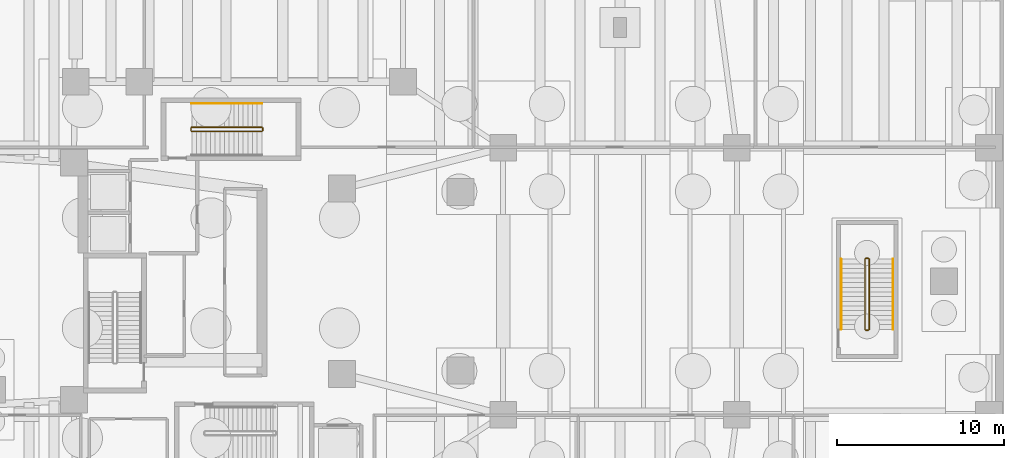
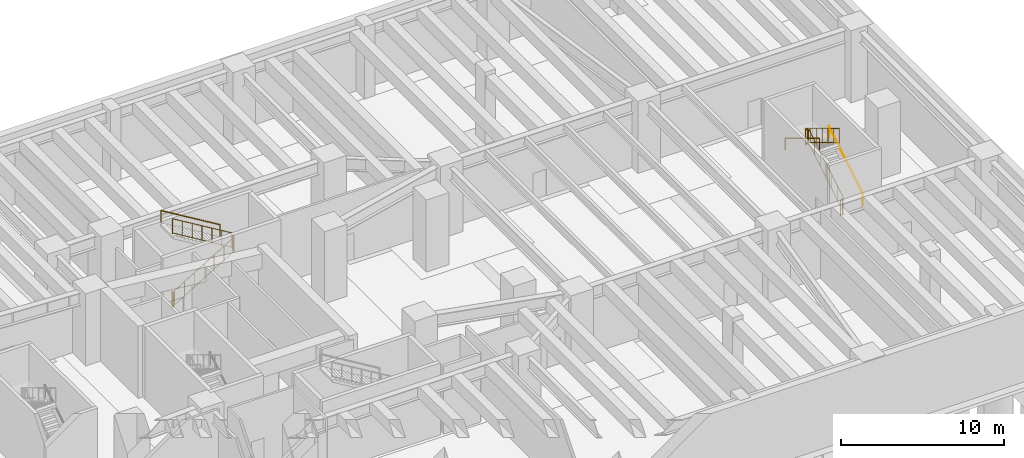
# One storey, part 9 of 10: 11 railings.
"""IFC4 building model written with IfcOpenShell, lengths in metres."""

from ifc_helpers import new_model, si_unit, direction, frame, origin, origin_2d, place, context, subcontext, project, spatial, circle, extrude, material, type_object, element, save


model = new_model("IFC4")

# Units and contexts
model_context = context("Model", 3, precision=1e-05, world=origin(), true_north=direction((0.0, 1.0)))
body_context = subcontext(model_context, "Body", "Model", "MODEL_VIEW")
ifc_project = project(units=[si_unit("LENGTHUNIT", "METRE"), si_unit("AREAUNIT", "SQUARE_METRE"), si_unit("VOLUMEUNIT", "CUBIC_METRE"), si_unit("PLANEANGLEUNIT", "RADIAN"), si_unit("MASSUNIT", "GRAM", prefix="KILO"), si_unit("THERMODYNAMICTEMPERATUREUNIT", "KELVIN"), si_unit("POWERUNIT", "WATT")], contexts=[model_context])

# Site, building, storey
site_placement = place(None, origin())
site = spatial("IfcSite", under=ifc_project, at=site_placement, CompositionType="ELEMENT")
building_placement = place(site_placement, origin())
building = spatial("IfcBuilding", under=site, at=building_placement, Name="Skarre Station Tower", CompositionType="ELEMENT")
storey_placement = place(building_placement, frame((0.0, 0.0, -10.199951171875)))
storey = spatial("IfcBuildingStorey", under=building, at=storey_placement, Name="B02", CompositionType="ELEMENT", Elevation=-10.199951171875)

# Railings
ifc_material = material(Name="Powder-Coated Tubular Steel", Category="steel")
railing_type_1 = type_object("IfcRailingType", Name="Painted Steel Ramp & Stair Handrail 920", PredefinedType="HANDRAIL", material=ifc_material)
railing_1_placement = place(storey_placement, frame((27.550048828125, 34.64990234375, 2.86865234375)))
element("IfcRailing", 1, at=railing_1_placement, inside=storey, type_object=railing_type_1, Name="B02 ST-3 stair handrail 2", PredefinedType="HANDRAIL", context=body_context, shape_type="SweptSolid", body=[
    extrude(circle(Radius=0.02392578125, at=origin_2d()), frame((0.0, 0.0, 0.8759765625), z_axis=(-0.856476492594, 0.0, 0.516186030065), x_axis=(0.0, -1.0, 0.0)), (0.0, 0.0, 1.0), 4.90380859375),
    extrude(circle(Radius=0.02099609375, at=origin_2d()), origin(), (0.0, 0.0, 1.0), 0.851806640625),
    extrude(circle(Radius=0.02099609375, at=origin_2d()), frame((-4.199951171875, 0.0, 2.53125)), (0.0, 0.0, 1.0), 0.851806640625),
])
railing_2_placement = place(storey_placement, frame((65.35009765625, 21.1201171875, 0.168701171875)))
element("IfcRailing", 2, at=railing_2_placement, inside=storey, type_object=railing_type_1, Name="B02 ST-5 stair handrail 1", PredefinedType="HANDRAIL", context=body_context, shape_type="SweptSolid", body=[
    extrude(circle(Radius=0.02392578125, at=origin_2d()), frame((0.0, 0.0, 0.8759765625), z_axis=(0.0, 0.856476492594, 0.516186030065), x_axis=(-1.0, 0.0, 0.0)), (0.0, 0.0, 1.0), 4.90380859375),
    extrude(circle(Radius=0.02099609375, at=origin_2d()), origin(), (0.0, 0.0, 1.0), 0.851806640625),
    extrude(circle(Radius=0.02099609375, at=origin_2d()), frame((0.0, 4.199951171875, 2.53125)), (0.0, 0.0, 1.0), 0.851806640625),
])
railing_3_placement = place(storey_placement, frame((62.25, 25.320068359375, 2.86865234375)))
element("IfcRailing", 3, at=railing_3_placement, inside=storey, type_object=railing_type_1, Name="B02 ST-5 stair handrail 2", PredefinedType="HANDRAIL", context=body_context, shape_type="SweptSolid", body=[
    extrude(circle(Radius=0.02392578125, at=origin_2d()), frame((0.0, 0.0, 0.8759765625), z_axis=(0.0, -0.856476492594, 0.516186030065), x_axis=(1.0, 0.0, 0.0)), (0.0, 0.0, 1.0), 4.90380859375),
    extrude(circle(Radius=0.02099609375, at=origin_2d()), origin(), (0.0, 0.0, 1.0), 0.851806640625),
    extrude(circle(Radius=0.02099609375, at=origin_2d()), frame((0.0, -4.199951171875, 2.53125)), (0.0, 0.0, 1.0), 0.851806640625),
])
railing_type_2 = type_object("IfcRailingType", Name="Painted Steel Stairwell Guardrail 1100", PredefinedType="GUARDRAIL", material=ifc_material)
railing_4_placement = place(storey_placement, frame((23.35009765625, 32.969970703125, 0.168701171875)))
element("IfcRailing", 4, at=railing_4_placement, inside=storey, type_object=railing_type_2, Name="B02 ST-3 stair guard 1", PredefinedType="GUARDRAIL", context=body_context, shape_type="SweptSolid", body=[
    extrude(circle(Radius=0.02392578125, at=origin_2d()), frame((0.0, 0.0, 1.1259765625), z_axis=(0.856476492594, 0.0, 0.516186030065), x_axis=(0.0, 1.0, 0.0)), (0.0, 0.0, 1.0), 4.90380859375),
    extrude(circle(Radius=0.02099609375, at=origin_2d()), frame((0.0, 0.0, 0.06005859375), z_axis=(0.856476492594, 0.0, 0.516186030065), x_axis=(0.0, 1.0, 0.0)), (0.0, 0.0, 1.0), 4.90380859375),
    extrude(circle(Radius=0.02099609375, at=origin_2d()), origin(), (0.0, 0.0, 1.0), 1.101806640625),
    extrude(circle(Radius=0.02099609375, at=origin_2d()), frame((0.699951171875, 0.0, 0.421875)), (0.0, 0.0, 1.0), 1.101806640625),
    extrude(circle(Radius=0.02099609375, at=origin_2d()), frame((1.39990234375, 0.0, 0.84375)), (0.0, 0.0, 1.0), 1.101806640625),
    extrude(circle(Radius=0.02099609375, at=origin_2d()), frame((2.10009765625, 0.0, 1.265625)), (0.0, 0.0, 1.0), 1.101806640625),
    extrude(circle(Radius=0.02099609375, at=origin_2d()), frame((2.800048828125, 0.0, 1.6875)), (0.0, 0.0, 1.0), 1.101806640625),
    extrude(circle(Radius=0.02099609375, at=origin_2d()), frame((3.5, 0.0, 2.109375)), (0.0, 0.0, 1.0), 1.101806640625),
    extrude(circle(Radius=0.02099609375, at=origin_2d()), frame((4.199951171875, 0.0, 2.53125)), (0.0, 0.0, 1.0), 1.101806640625),
])
railing_5_placement = place(storey_placement, frame((27.60009765625, 33.02001953125, 2.699951171875)))
element("IfcRailing", 5, at=railing_5_placement, inside=storey, type_object=railing_type_2, Name="B02 ST-3 stair guard 2", PredefinedType="GUARDRAIL", context=body_context, shape_type="SweptSolid", body=[
    extrude(circle(Radius=0.02392578125, at=origin_2d()), frame((0.0, 0.0, 1.1259765625), z_axis=(0.0, 1.0, 0.0), x_axis=(-1.0, 0.0, 0.0)), (0.0, 0.0, 1.0), 0.159912109375),
    extrude(circle(Radius=0.02099609375, at=origin_2d()), frame((0.0, 0.0, 0.06005859375), z_axis=(0.0, 1.0, 0.0), x_axis=(-1.0, 0.0, 0.0)), (0.0, 0.0, 1.0), 0.159912109375),
    extrude(circle(Radius=0.02099609375, at=origin_2d()), origin(), (0.0, 0.0, 1.0), 1.101806640625),
    extrude(circle(Radius=0.02099609375, at=origin_2d()), frame((0.0, 0.159912109375, 0.0)), (0.0, 0.0, 1.0), 1.101806640625),
])
railing_6_placement = place(storey_placement, frame((27.550048828125, 33.22998046875, 2.86865234375)))
element("IfcRailing", 6, at=railing_6_placement, inside=storey, type_object=railing_type_2, Name="B02 ST-3 stair guard 3", PredefinedType="GUARDRAIL", context=body_context, shape_type="SweptSolid", body=[
    extrude(circle(Radius=0.02392578125, at=origin_2d()), frame((0.0, 0.0, 1.1259765625), z_axis=(-0.856476492594, 0.0, 0.516186030065), x_axis=(0.0, -1.0, 0.0)), (0.0, 0.0, 1.0), 4.90380859375),
    extrude(circle(Radius=0.02099609375, at=origin_2d()), frame((0.0, 0.0, 0.06005859375), z_axis=(-0.856476492594, 0.0, 0.516186030065), x_axis=(0.0, -1.0, 0.0)), (0.0, 0.0, 1.0), 4.90380859375),
    extrude(circle(Radius=0.02099609375, at=origin_2d()), origin(), (0.0, 0.0, 1.0), 1.101806640625),
    extrude(circle(Radius=0.02099609375, at=origin_2d()), frame((-0.699951171875, 0.0, 0.421875)), (0.0, 0.0, 1.0), 1.101806640625),
    extrude(circle(Radius=0.02099609375, at=origin_2d()), frame((-1.39990234375, 0.0, 0.84375)), (0.0, 0.0, 1.0), 1.101806640625),
    extrude(circle(Radius=0.02099609375, at=origin_2d()), frame((-2.10009765625, 0.0, 1.265625)), (0.0, 0.0, 1.0), 1.101806640625),
    extrude(circle(Radius=0.02099609375, at=origin_2d()), frame((-2.800048828125, 0.0, 1.6875)), (0.0, 0.0, 1.0), 1.101806640625),
    extrude(circle(Radius=0.02099609375, at=origin_2d()), frame((-3.5, 0.0, 2.109375)), (0.0, 0.0, 1.0), 1.101806640625),
    extrude(circle(Radius=0.02099609375, at=origin_2d()), frame((-4.199951171875, 0.0, 2.53125)), (0.0, 0.0, 1.0), 1.101806640625),
])
railing_7_placement = place(storey_placement, frame((23.300048828125, 33.02001953125, 0.0)))
element("IfcRailing", 7, at=railing_7_placement, inside=storey, type_object=railing_type_2, Name="B02 ST-3 stair guard 4", PredefinedType="GUARDRAIL", context=body_context, shape_type="SweptSolid", body=[
    extrude(circle(Radius=0.02392578125, at=origin_2d()), frame((0.0, 0.0, 1.1259765625), z_axis=(0.0, 1.0, 0.0), x_axis=(-1.0, 0.0, 0.0)), (0.0, 0.0, 1.0), 0.159912109375),
    extrude(circle(Radius=0.02099609375, at=origin_2d()), frame((0.0, 0.0, 0.06005859375), z_axis=(0.0, 1.0, 0.0), x_axis=(-1.0, 0.0, 0.0)), (0.0, 0.0, 1.0), 0.159912109375),
    extrude(circle(Radius=0.02099609375, at=origin_2d()), origin(), (0.0, 0.0, 1.0), 1.101806640625),
    extrude(circle(Radius=0.02099609375, at=origin_2d()), frame((0.0, 0.159912109375, 0.0)), (0.0, 0.0, 1.0), 1.101806640625),
])
railing_8_placement = place(storey_placement, frame((63.929931640625, 21.1201171875, 0.168701171875)))
element("IfcRailing", 8, at=railing_8_placement, inside=storey, type_object=railing_type_2, Name="B02 ST-5 stair guard 1", PredefinedType="GUARDRAIL", context=body_context, shape_type="SweptSolid", body=[
    extrude(circle(Radius=0.02392578125, at=origin_2d()), frame((0.0, 0.0, 1.1259765625), z_axis=(0.0, 0.856476492594, 0.516186030065), x_axis=(-1.0, 0.0, 0.0)), (0.0, 0.0, 1.0), 4.90380859375),
    extrude(circle(Radius=0.02099609375, at=origin_2d()), frame((0.0, 0.0, 0.06005859375), z_axis=(0.0, 0.856476492594, 0.516186030065), x_axis=(-1.0, 0.0, 0.0)), (0.0, 0.0, 1.0), 4.90380859375),
    extrude(circle(Radius=0.02099609375, at=origin_2d()), origin(), (0.0, 0.0, 1.0), 1.101806640625),
    extrude(circle(Radius=0.02099609375, at=origin_2d()), frame((0.0, 0.699951171875, 0.421875)), (0.0, 0.0, 1.0), 1.101806640625),
    extrude(circle(Radius=0.02099609375, at=origin_2d()), frame((0.0, 1.39990234375, 0.84375)), (0.0, 0.0, 1.0), 1.101806640625),
    extrude(circle(Radius=0.02099609375, at=origin_2d()), frame((0.0, 2.10009765625, 1.265625)), (0.0, 0.0, 1.0), 1.101806640625),
    extrude(circle(Radius=0.02099609375, at=origin_2d()), frame((0.0, 2.800048828125, 1.6875)), (0.0, 0.0, 1.0), 1.101806640625),
    extrude(circle(Radius=0.02099609375, at=origin_2d()), frame((0.0, 3.5, 2.109375)), (0.0, 0.0, 1.0), 1.101806640625),
    extrude(circle(Radius=0.02099609375, at=origin_2d()), frame((0.0, 4.199951171875, 2.53125)), (0.0, 0.0, 1.0), 1.101806640625),
])
railing_9_placement = place(storey_placement, frame((63.8798828125, 25.3701171875, 2.699951171875)))
element("IfcRailing", 9, at=railing_9_placement, inside=storey, type_object=railing_type_2, Name="B02 ST-5 stair guard 2", PredefinedType="GUARDRAIL", context=body_context, shape_type="SweptSolid", body=[
    extrude(circle(Radius=0.02392578125, at=origin_2d()), frame((0.0, 0.0, 1.1259765625), z_axis=(-1.0, 0.0, 0.0), x_axis=(0.0, -1.0, 0.0)), (0.0, 0.0, 1.0), 0.159912109375),
    extrude(circle(Radius=0.02099609375, at=origin_2d()), frame((0.0, 0.0, 0.06005859375), z_axis=(-1.0, 0.0, 0.0), x_axis=(0.0, -1.0, 0.0)), (0.0, 0.0, 1.0), 0.159912109375),
    extrude(circle(Radius=0.02099609375, at=origin_2d()), origin(), (0.0, 0.0, 1.0), 1.101806640625),
    extrude(circle(Radius=0.02099609375, at=origin_2d()), frame((-0.159912109375, 0.0, 0.0)), (0.0, 0.0, 1.0), 1.101806640625),
])
railing_10_placement = place(storey_placement, frame((63.669921875, 25.320068359375, 2.86865234375)))
element("IfcRailing", 10, at=railing_10_placement, inside=storey, type_object=railing_type_2, Name="B02 ST-5 stair guard 3", PredefinedType="GUARDRAIL", context=body_context, shape_type="SweptSolid", body=[
    extrude(circle(Radius=0.02392578125, at=origin_2d()), frame((0.0, 0.0, 1.1259765625), z_axis=(0.0, -0.856476492594, 0.516186030065), x_axis=(1.0, 0.0, 0.0)), (0.0, 0.0, 1.0), 4.90380859375),
    extrude(circle(Radius=0.02099609375, at=origin_2d()), frame((0.0, 0.0, 0.06005859375), z_axis=(0.0, -0.856476492594, 0.516186030065), x_axis=(1.0, 0.0, 0.0)), (0.0, 0.0, 1.0), 4.90380859375),
    extrude(circle(Radius=0.02099609375, at=origin_2d()), origin(), (0.0, 0.0, 1.0), 1.101806640625),
    extrude(circle(Radius=0.02099609375, at=origin_2d()), frame((0.0, -0.699951171875, 0.421875)), (0.0, 0.0, 1.0), 1.101806640625),
    extrude(circle(Radius=0.02099609375, at=origin_2d()), frame((0.0, -1.39990234375, 0.84375)), (0.0, 0.0, 1.0), 1.101806640625),
    extrude(circle(Radius=0.02099609375, at=origin_2d()), frame((0.0, -2.10009765625, 1.265625)), (0.0, 0.0, 1.0), 1.101806640625),
    extrude(circle(Radius=0.02099609375, at=origin_2d()), frame((0.0, -2.800048828125, 1.6875)), (0.0, 0.0, 1.0), 1.101806640625),
    extrude(circle(Radius=0.02099609375, at=origin_2d()), frame((0.0, -3.5, 2.109375)), (0.0, 0.0, 1.0), 1.101806640625),
    extrude(circle(Radius=0.02099609375, at=origin_2d()), frame((0.0, -4.199951171875, 2.53125)), (0.0, 0.0, 1.0), 1.101806640625),
])
railing_11_placement = place(storey_placement, frame((63.8798828125, 21.070068359375, 0.0)))
element("IfcRailing", 11, at=railing_11_placement, inside=storey, type_object=railing_type_2, Name="B02 ST-5 stair guard 4", PredefinedType="GUARDRAIL", context=body_context, shape_type="SweptSolid", body=[
    extrude(circle(Radius=0.02392578125, at=origin_2d()), frame((0.0, 0.0, 1.1259765625), z_axis=(-1.0, 0.0, 0.0), x_axis=(0.0, -1.0, 0.0)), (0.0, 0.0, 1.0), 0.159912109375),
    extrude(circle(Radius=0.02099609375, at=origin_2d()), frame((0.0, 0.0, 0.06005859375), z_axis=(-1.0, 0.0, 0.0), x_axis=(0.0, -1.0, 0.0)), (0.0, 0.0, 1.0), 0.159912109375),
    extrude(circle(Radius=0.02099609375, at=origin_2d()), origin(), (0.0, 0.0, 1.0), 1.101806640625),
    extrude(circle(Radius=0.02099609375, at=origin_2d()), frame((-0.159912109375, 0.0, 0.0)), (0.0, 0.0, 1.0), 1.101806640625),
])

save(model, "model.ifc")
